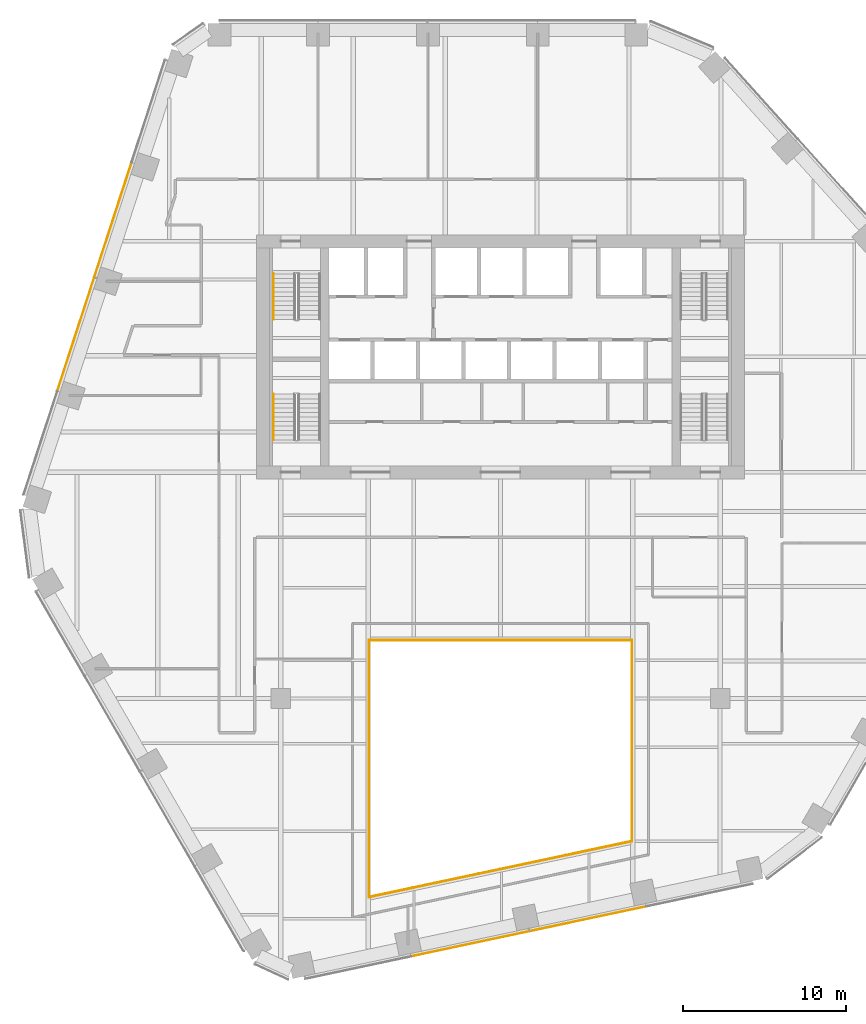
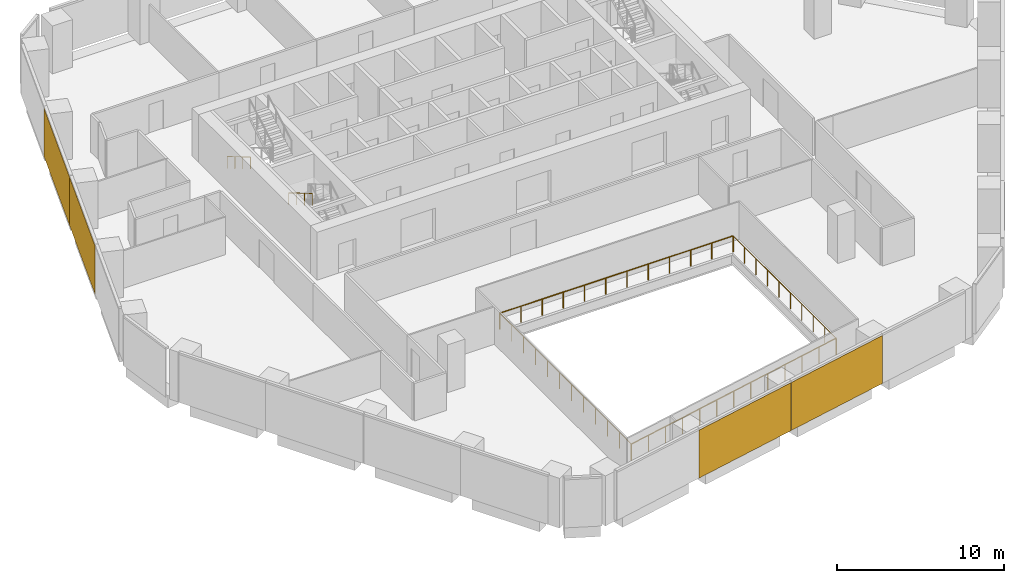
# One storey, part 14 of 16: 6 railings, 4 coverings, 2 elements without a shape of their own.
"""IFC4 building model written with IfcOpenShell, lengths in metres."""

from ifc_helpers import new_model, si_unit, direction, frame, origin, origin_2d, place, context, subcontext, project, spatial, rectangle, circle, extrude, material, layer, layer_set, type_object, element, aggregate, save


model = new_model("IFC4")

# Units and contexts
model_context = context("Model", 3, precision=1e-05, world=origin(), true_north=direction((0.0, 1.0)))
body_context = subcontext(model_context, "Body", "Model", "MODEL_VIEW")
ifc_project = project(units=[si_unit("LENGTHUNIT", "METRE"), si_unit("AREAUNIT", "SQUARE_METRE"), si_unit("VOLUMEUNIT", "CUBIC_METRE"), si_unit("PLANEANGLEUNIT", "RADIAN"), si_unit("MASSUNIT", "GRAM", prefix="KILO")], contexts=[model_context])

# Site, building, storey
site_placement = place(None, origin())
site = spatial("IfcSite", under=ifc_project, at=site_placement, CompositionType="ELEMENT")
building_placement = place(site_placement, origin())
building = spatial("IfcBuilding", under=site, at=building_placement, Name="Isthmus Gate Tower", CompositionType="ELEMENT")
storey_placement = place(building_placement, frame((0.0, 0.0, 148.050048828125)))
storey = spatial("IfcBuildingStorey", under=building, at=storey_placement, Name="L36", CompositionType="ELEMENT", Elevation=148.050048828125)

# Railings
ifc_material_1 = material(Name="Laminated toughened glass balustrade with steel rail", Category="steel")
railing_type_1 = type_object("IfcRailingType", Name="ATRIUM GUARD GLASS BALUSTRADE 1200", PredefinedType="GUARDRAIL", material=ifc_material_1)
railing_1_placement = place(storey_placement, frame((-8.080078125, -25.7099609375, 0.0)))
element("IfcRailing", 1, at=railing_1_placement, inside=storey, type_object=railing_type_1, Name="L36 atrium guard", PredefinedType="GUARDRAIL", context=body_context, shape_type="SweptSolid", body=[
    extrude(circle(Radius=0.02490234375, at=origin_2d()), frame((0.0, 0.0, 1.1748046875), z_axis=(0.0, 1.0, 0.0), x_axis=(-1.0, 0.0, 0.0)), (0.0, 0.0, 1.0), 15.7900390625),
    extrude(circle(Radius=0.02490234375, at=origin_2d()), origin(), (0.0, 0.0, 1.0), 1.14990234375),
    extrude(circle(Radius=0.02490234375, at=origin_2d()), frame((0.0, 1.435546875, 0.0)), (0.0, 0.0, 1.0), 1.14990234375),
    extrude(circle(Radius=0.02490234375, at=origin_2d()), frame((0.0, 2.870849609375, 0.0)), (0.0, 0.0, 1.0), 1.14990234375),
    extrude(circle(Radius=0.02490234375, at=origin_2d()), frame((0.0, 4.306396484375, 0.0)), (0.0, 0.0, 1.0), 1.14990234375),
    extrude(circle(Radius=0.02490234375, at=origin_2d()), frame((0.0, 5.741943359375, 0.0)), (0.0, 0.0, 1.0), 1.14990234375),
    extrude(circle(Radius=0.02490234375, at=origin_2d()), frame((0.0, 7.17724609375, 0.0)), (0.0, 0.0, 1.0), 1.14990234375),
    extrude(circle(Radius=0.02490234375, at=origin_2d()), frame((0.0, 8.61279296875, 0.0)), (0.0, 0.0, 1.0), 1.14990234375),
    extrude(circle(Radius=0.02490234375, at=origin_2d()), frame((0.0, 10.048095703125, 0.0)), (0.0, 0.0, 1.0), 1.14990234375),
    extrude(circle(Radius=0.02490234375, at=origin_2d()), frame((0.0, 11.483642578125, 0.0)), (0.0, 0.0, 1.0), 1.14990234375),
    extrude(circle(Radius=0.02490234375, at=origin_2d()), frame((0.0, 12.919189453125, 0.0)), (0.0, 0.0, 1.0), 1.14990234375),
    extrude(circle(Radius=0.02490234375, at=origin_2d()), frame((0.0, 14.3544921875, 0.0)), (0.0, 0.0, 1.0), 1.14990234375),
    extrude(circle(Radius=0.02490234375, at=origin_2d()), frame((0.0, 15.7900390625, 0.0)), (0.0, 0.0, 1.0), 1.14990234375),
])
railing_2_placement = place(storey_placement, frame((-8.080078125, -9.919921875, 0.0)))
element("IfcRailing", 2, at=railing_2_placement, inside=storey, type_object=railing_type_1, Name="L36 atrium guard", PredefinedType="GUARDRAIL", context=body_context, shape_type="SweptSolid", body=[
    extrude(circle(Radius=0.02490234375, at=origin_2d()), frame((0.0, 0.0, 1.1748046875), z_axis=(1.0, 0.0, 0.0), x_axis=(0.0, 1.0, 0.0)), (0.0, 0.0, 1.0), 16.16015625),
    extrude(circle(Radius=0.02490234375, at=origin_2d()), origin(), (0.0, 0.0, 1.0), 1.14990234375),
    extrude(circle(Radius=0.02490234375, at=origin_2d()), frame((1.468994140625, 0.0, 0.0)), (0.0, 0.0, 1.0), 1.14990234375),
    extrude(circle(Radius=0.02490234375, at=origin_2d()), frame((2.938232421875, 0.0, 0.0)), (0.0, 0.0, 1.0), 1.14990234375),
    extrude(circle(Radius=0.02490234375, at=origin_2d()), frame((4.4072265625, 0.0, 0.0)), (0.0, 0.0, 1.0), 1.14990234375),
    extrude(circle(Radius=0.02490234375, at=origin_2d()), frame((5.87646484375, 0.0, 0.0)), (0.0, 0.0, 1.0), 1.14990234375),
    extrude(circle(Radius=0.02490234375, at=origin_2d()), frame((7.345458984375, 0.0, 0.0)), (0.0, 0.0, 1.0), 1.14990234375),
    extrude(circle(Radius=0.02490234375, at=origin_2d()), frame((8.814697265625, 0.0, 0.0)), (0.0, 0.0, 1.0), 1.14990234375),
    extrude(circle(Radius=0.02490234375, at=origin_2d()), frame((10.28369140625, 0.0, 0.0)), (0.0, 0.0, 1.0), 1.14990234375),
    extrude(circle(Radius=0.02490234375, at=origin_2d()), frame((11.7529296875, 0.0, 0.0)), (0.0, 0.0, 1.0), 1.14990234375),
    extrude(circle(Radius=0.02490234375, at=origin_2d()), frame((13.221923828125, 0.0, 0.0)), (0.0, 0.0, 1.0), 1.14990234375),
    extrude(circle(Radius=0.02490234375, at=origin_2d()), frame((14.691162109375, 0.0, 0.0)), (0.0, 0.0, 1.0), 1.14990234375),
    extrude(circle(Radius=0.02490234375, at=origin_2d()), frame((16.16015625, 0.0, 0.0)), (0.0, 0.0, 1.0), 1.14990234375),
])
railing_3_placement = place(storey_placement, frame((8.080078125, -9.919921875, 0.0)))
element("IfcRailing", 3, at=railing_3_placement, inside=storey, type_object=railing_type_1, Name="L36 atrium guard", PredefinedType="GUARDRAIL", context=body_context, shape_type="SweptSolid", body=[
    extrude(circle(Radius=0.02490234375, at=origin_2d()), frame((0.0, 0.0, 1.1748046875), z_axis=(0.0, -1.0, 0.0), x_axis=(1.0, 0.0, 0.0)), (0.0, 0.0, 1.0), 12.35498046875),
    extrude(circle(Radius=0.02490234375, at=origin_2d()), origin(), (0.0, 0.0, 1.0), 1.14990234375),
    extrude(circle(Radius=0.02490234375, at=origin_2d()), frame((0.0, -1.372802734375, 0.0)), (0.0, 0.0, 1.0), 1.14990234375),
    extrude(circle(Radius=0.02490234375, at=origin_2d()), frame((0.0, -2.74560546875, 0.0)), (0.0, 0.0, 1.0), 1.14990234375),
    extrude(circle(Radius=0.02490234375, at=origin_2d()), frame((0.0, -4.118408203125, 0.0)), (0.0, 0.0, 1.0), 1.14990234375),
    extrude(circle(Radius=0.02490234375, at=origin_2d()), frame((0.0, -5.4912109375, 0.0)), (0.0, 0.0, 1.0), 1.14990234375),
    extrude(circle(Radius=0.02490234375, at=origin_2d()), frame((0.0, -6.86376953125, 0.0)), (0.0, 0.0, 1.0), 1.14990234375),
    extrude(circle(Radius=0.02490234375, at=origin_2d()), frame((0.0, -8.236572265625, 0.0)), (0.0, 0.0, 1.0), 1.14990234375),
    extrude(circle(Radius=0.02490234375, at=origin_2d()), frame((0.0, -9.609375, 0.0)), (0.0, 0.0, 1.0), 1.14990234375),
    extrude(circle(Radius=0.02490234375, at=origin_2d()), frame((0.0, -10.982177734375, 0.0)), (0.0, 0.0, 1.0), 1.14990234375),
    extrude(circle(Radius=0.02490234375, at=origin_2d()), frame((0.0, -12.35498046875, 0.0)), (0.0, 0.0, 1.0), 1.14990234375),
])
railing_4_placement = place(storey_placement, frame((8.080078125, -22.27490234375, 0.0)))
element("IfcRailing", 4, at=railing_4_placement, inside=storey, type_object=railing_type_1, Name="L36 atrium guard", PredefinedType="GUARDRAIL", context=body_context, shape_type="SweptSolid", body=[
    extrude(circle(Radius=0.02490234375, at=origin_2d()), frame((0.0, 0.0, 1.1748046875), z_axis=(-0.978146230105, -0.207918139013, 0.0), x_axis=(0.207918139013, -0.978146230105, 0.0)), (0.0, 0.0, 1.0), 16.521240234375),
    extrude(circle(Radius=0.02490234375, at=origin_2d()), origin(), (0.0, 0.0, 1.0), 1.14990234375),
    extrude(circle(Radius=0.02490234375, at=origin_2d()), frame((-1.3466796875, -0.2861328125, 0.0)), (0.0, 0.0, 1.0), 1.14990234375),
    extrude(circle(Radius=0.02490234375, at=origin_2d()), frame((-2.693359375, -0.572509765625, 0.0)), (0.0, 0.0, 1.0), 1.14990234375),
    extrude(circle(Radius=0.02490234375, at=origin_2d()), frame((-4.0400390625, -0.85888671875, 0.0)), (0.0, 0.0, 1.0), 1.14990234375),
    extrude(circle(Radius=0.02490234375, at=origin_2d()), frame((-5.38671875, -1.14501953125, 0.0)), (0.0, 0.0, 1.0), 1.14990234375),
    extrude(circle(Radius=0.02490234375, at=origin_2d()), frame((-6.7333984375, -1.43115234375, 0.0)), (0.0, 0.0, 1.0), 1.14990234375),
    extrude(circle(Radius=0.02490234375, at=origin_2d()), frame((-8.080078125, -1.717529296875, 0.0)), (0.0, 0.0, 1.0), 1.14990234375),
    extrude(circle(Radius=0.02490234375, at=origin_2d()), frame((-9.4267578125, -2.00390625, 0.0)), (0.0, 0.0, 1.0), 1.14990234375),
    extrude(circle(Radius=0.02490234375, at=origin_2d()), frame((-10.7734375, -2.2900390625, 0.0)), (0.0, 0.0, 1.0), 1.14990234375),
    extrude(circle(Radius=0.02490234375, at=origin_2d()), frame((-12.1201171875, -2.576171875, 0.0)), (0.0, 0.0, 1.0), 1.14990234375),
    extrude(circle(Radius=0.02490234375, at=origin_2d()), frame((-13.466796875, -2.862548828125, 0.0)), (0.0, 0.0, 1.0), 1.14990234375),
    extrude(circle(Radius=0.02490234375, at=origin_2d()), frame((-14.8134765625, -3.14892578125, 0.0)), (0.0, 0.0, 1.0), 1.14990234375),
    extrude(circle(Radius=0.02490234375, at=origin_2d()), frame((-16.16015625, -3.43505859375, 0.0)), (0.0, 0.0, 1.0), 1.14990234375),
])

# Curtain wall, coverings
ifc_material_2 = material(Name="Aluminium, pale champagne anodised", Category="aluminium")
ifc_layer_1 = layer(ifc_material_2, 0.199951171875)
ifc_layer_set_1 = layer_set([ifc_layer_1], Name="CW-1 UNITISED CURTAIN WALL 200 DEEP")
curtain_wall_type = type_object("IfcCurtainWallType", Name="CW-1 UNITISED CURTAIN WALL 200 DEEP", PredefinedType="NOTDEFINED", material=ifc_layer_set_1)
curtain_wall_1_placement = place(storey_placement, origin())
curtain_wall_1 = element("IfcCurtainWall", 5, at=curtain_wall_1_placement, inside=storey, type_object=curtain_wall_type, Name="CW-1 NW L36", PredefinedType="NOTDEFINED")
ifc_material_3 = material(Name="Aluminium composite panel, pale champagne anodised", Category="aluminium")
ifc_layer_2 = layer(ifc_material_3, 0.035888671875)
ifc_layer_set_2 = layer_set([ifc_layer_2], Name="CW-1 PALE METAL PANEL 36")
covering_type = type_object("IfcCoveringType", Name="CW-1 PALE METAL PANEL 36", PredefinedType="CLADDING", material=ifc_layer_set_2)
covering_1_placement = place(storey_placement, frame((-23.813720703125, 15.927490234375, 0.0), z_axis=(0.0, 0.0, 1.0), x_axis=(-0.309016994375, -0.951056516295, 0.0)))
covering_1 = element("IfcCovering", 6, at=covering_1_placement, type_object=covering_type, Name="CW-1 pale metal panel", PredefinedType="CLADDING", context=body_context, shape_type="SweptSolid", body=[
    extrude(rectangle(XDim=7.390869140625, YDim=0.035888671875, at=origin_2d()), origin(), (0.0, 0.0, 1.0), 3.510009765625),
])
covering_2_placement = place(storey_placement, frame((-26.10693359375, 8.8701171875, 0.0), z_axis=(0.0, 0.0, 1.0), x_axis=(-0.309016994375, -0.951056516295, 0.0)))
covering_2 = element("IfcCovering", 7, at=covering_2_placement, type_object=covering_type, Name="CW-1 pale metal panel", PredefinedType="CLADDING", context=body_context, shape_type="SweptSolid", body=[
    extrude(rectangle(XDim=7.330810546875, YDim=0.035888671875, at=origin_2d()), origin(), (0.0, 0.0, 1.0), 3.510009765625),
])
aggregate(curtain_wall_1, [covering_1, covering_2])

curtain_wall_2_placement = place(storey_placement, origin())
curtain_wall_2 = element("IfcCurtainWall", 8, at=curtain_wall_2_placement, inside=storey, type_object=curtain_wall_type, Name="CW-1 S L36", PredefinedType="NOTDEFINED")
covering_3_placement = place(storey_placement, frame((-1.88671875, -28.587158203125, 0.0), z_axis=(0.0, 0.0, 1.0), x_axis=(0.978147600734, 0.207911690818, 0.0)))
covering_3 = element("IfcCovering", 9, at=covering_3_placement, type_object=covering_type, Name="CW-1 pale metal panel", PredefinedType="CLADDING", context=body_context, shape_type="SweptSolid", body=[
    extrude(rectangle(XDim=7.390869140625, YDim=0.035888671875, at=origin_2d()), origin(), (0.0, 0.0, 1.0), 3.510009765625),
])
covering_4_placement = place(storey_placement, frame((5.371826171875, -27.044189453125, 0.0), z_axis=(0.0, 0.0, 1.0), x_axis=(0.978147600734, 0.207911690818, 0.0)))
covering_4 = element("IfcCovering", 10, at=covering_4_placement, type_object=covering_type, Name="CW-1 pale metal panel", PredefinedType="CLADDING", context=body_context, shape_type="SweptSolid", body=[
    extrude(rectangle(XDim=7.330810546875, YDim=0.035888671875, at=origin_2d()), origin(), (0.0, 0.0, 1.0), 3.510009765625),
])
aggregate(curtain_wall_2, [covering_3, covering_4])

# Railings
ifc_material_4 = material(Name="Stainless steel handrail", Category="steel")
railing_type_2 = type_object("IfcRailingType", Name="STAIR HANDRAIL 900", PredefinedType="HANDRAIL", material=ifc_material_4)
railing_5_placement = place(storey_placement, frame((-13.949951171875, 12.60009765625, 0.165771484375)))
element("IfcRailing", 11, at=railing_5_placement, inside=storey, type_object=railing_type_2, Name="L36 ST1 stair handrail 1", PredefinedType="HANDRAIL", context=body_context, shape_type="SweptSolid", body=[
    extrude(circle(Radius=0.02392578125, at=origin_2d()), frame((0.0, 0.0, 0.8759765625), z_axis=(0.0, -0.860306154799, 0.50977771628), x_axis=(1.0, 0.0, 0.0)), (0.0, 0.0, 1.0), 3.254638671875),
    extrude(circle(Radius=0.02099609375, at=origin_2d()), origin(), (0.0, 0.0, 1.0), 0.851806640625),
    extrude(circle(Radius=0.02099609375, at=origin_2d()), frame((0.0, -0.933349609375, 0.552978515625)), (0.0, 0.0, 1.0), 0.851806640625),
    extrude(circle(Radius=0.02099609375, at=origin_2d()), frame((0.0, -1.86669921875, 1.106201171875)), (0.0, 0.0, 1.0), 0.851806640625),
    extrude(circle(Radius=0.02099609375, at=origin_2d()), frame((0.0, -2.800048828125, 1.6591796875)), (0.0, 0.0, 1.0), 0.851806640625),
])
railing_6_placement = place(storey_placement, frame((-13.949951171875, 5.199951171875, 1.990966796875)))
element("IfcRailing", 12, at=railing_6_placement, inside=storey, type_object=railing_type_2, Name="L36 ST7 stair handrail 2", PredefinedType="HANDRAIL", context=body_context, shape_type="SweptSolid", body=[
    extrude(circle(Radius=0.02392578125, at=origin_2d()), frame((0.0, 0.0, 0.8759765625), z_axis=(0.0, -0.860339051648, 0.50972219513), x_axis=(1.0, 0.0, 0.0)), (0.0, 0.0, 1.0), 3.254638671875),
    extrude(circle(Radius=0.02099609375, at=origin_2d()), origin(), (0.0, 0.0, 1.0), 0.851806640625),
    extrude(circle(Radius=0.02099609375, at=origin_2d()), frame((0.0, -0.933349609375, 0.552978515625)), (0.0, 0.0, 1.0), 0.851806640625),
    extrude(circle(Radius=0.02099609375, at=origin_2d()), frame((0.0, -1.86669921875, 1.10595703125)), (0.0, 0.0, 1.0), 0.851806640625),
    extrude(circle(Radius=0.02099609375, at=origin_2d()), frame((0.0, -2.800048828125, 1.658935546875)), (0.0, 0.0, 1.0), 0.851806640625),
])

save(model, "model.ifc")
